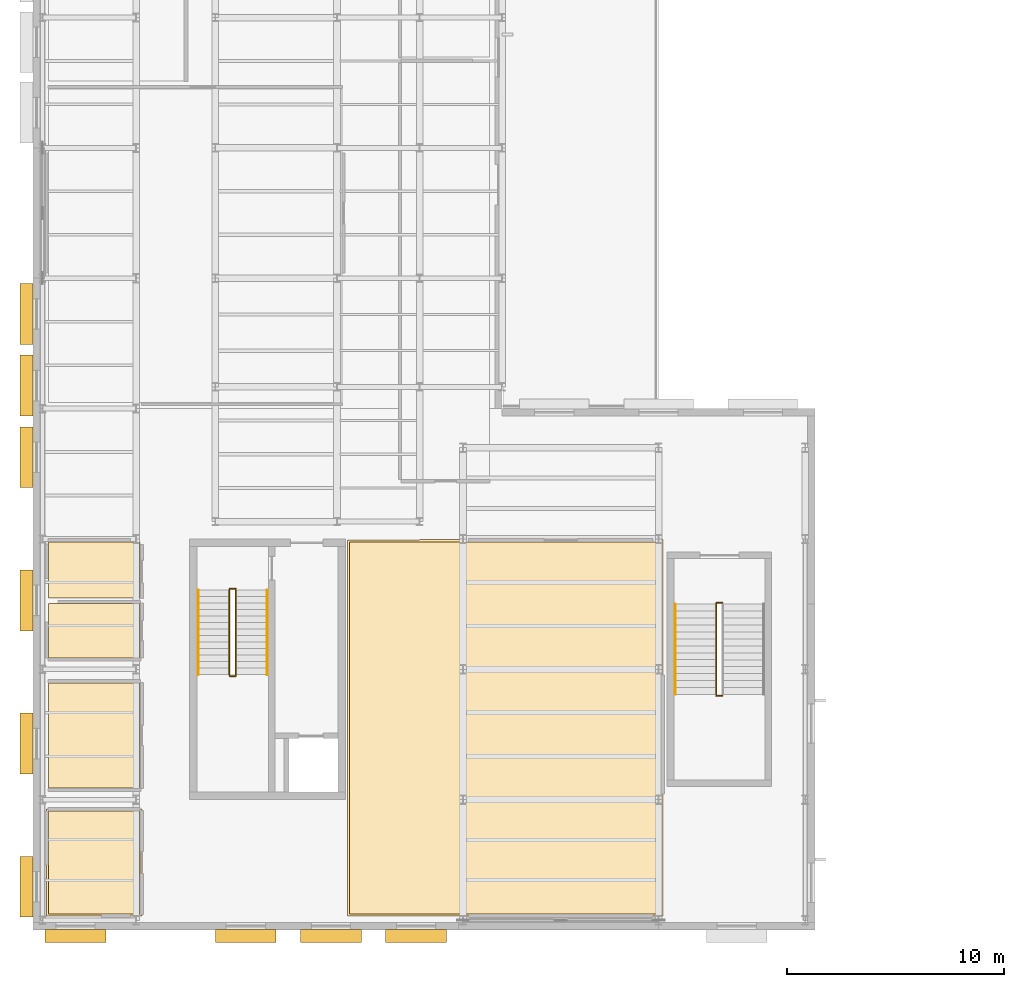
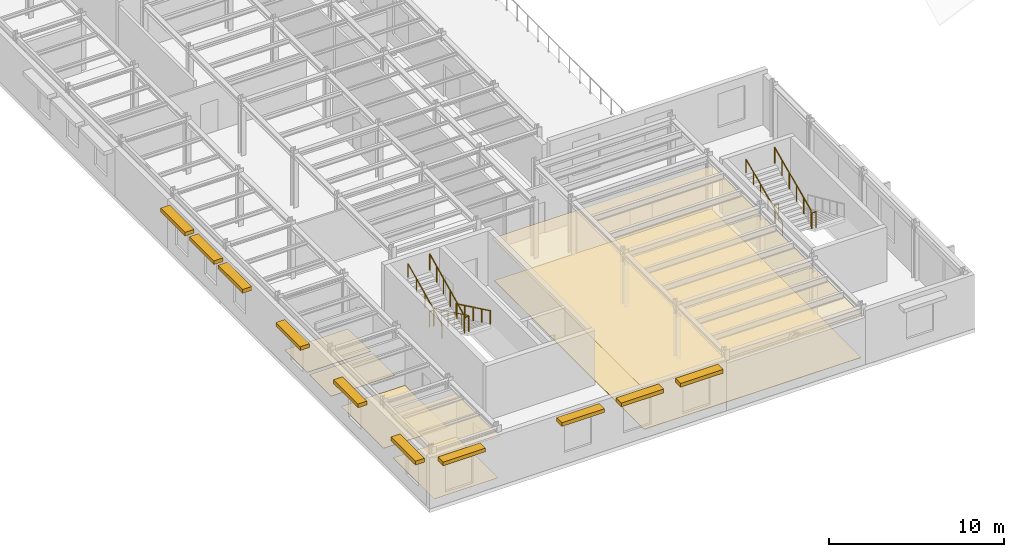
# One storey, part 8 of 13: 10 railings, 10 shading devices, 7 coverings, 2 elements without a shape of their own.
"""IFC4 building model written with IfcOpenShell, lengths in metres."""

from ifc_helpers import new_model, si_unit, direction, frame, origin, origin_2d, place, context, subcontext, project, spatial, polyline, rectangle, circle, outline, extrude, material, layer, layer_set, type_object, element, aggregate, save


model = new_model("IFC4")

# Units and contexts
model_context = context("Model", 3, precision=1e-05, world=origin(), true_north=direction((0.0, 1.0)))
body_context = subcontext(model_context, "Body", "Model", "MODEL_VIEW")
ifc_project = project(units=[si_unit("LENGTHUNIT", "METRE"), si_unit("AREAUNIT", "SQUARE_METRE"), si_unit("VOLUMEUNIT", "CUBIC_METRE"), si_unit("PLANEANGLEUNIT", "RADIAN"), si_unit("MASSUNIT", "GRAM", prefix="KILO")], contexts=[model_context])

# Site, building, storey
site_placement = place(None, origin())
site = spatial("IfcSite", under=ifc_project, at=site_placement, CompositionType="ELEMENT")
building_placement = place(site_placement, origin())
building = spatial("IfcBuilding", under=site, at=building_placement, Name="Kolvaren Corner Interchange", CompositionType="ELEMENT")
storey_placement = place(building_placement, frame((0.0, 0.0, 14.699951171875)))
storey = spatial("IfcBuildingStorey", under=building, at=storey_placement, Name="L04", CompositionType="ELEMENT", Elevation=14.699951171875)

# Coverings
ifc_material_1 = material(Name="Suspended Acoustic Mineral-Fibre Ceiling")
ifc_layer_1 = layer(ifc_material_1, 0.02197265625)
ifc_layer_set_1 = layer_set([ifc_layer_1], Name="Suspended Acoustic Mineral-Fibre Ceiling")
covering_type_1 = type_object("IfcCoveringType", Name="COV-CEIL-AC22", PredefinedType="CEILING", material=ifc_layer_set_1)
covering_1_placement = place(storey_placement, frame((0.0, 0.0, 2.927978515625)))
element("IfcCovering", 1, at=covering_1_placement, inside=storey, type_object=covering_type_1, Name="L04 Metro and BRT Cab Simulator Hall Suspended Ceiling", PredefinedType="CEILING", context=body_context, shape_type="SweptSolid", body=[
    extrude(outline(polyline([(14.47998046875, 0.64990234375), (29.015380859375, 0.63720703125), (29.0126953125, 17.965576171875), (14.484619140625, 17.962646484375), (14.47998046875, 0.64990234375)])), origin(), (0.0, 0.0, 1.0), 0.02197265625),
])
covering_2_placement = place(storey_placement, frame((0.0, 0.0, 2.927978515625)))
element("IfcCovering", 2, at=covering_2_placement, inside=storey, type_object=covering_type_1, Name="L04 Simulator Debriefing Room Suspended Ceiling", PredefinedType="CEILING", context=body_context, shape_type="SweptSolid", body=[
    extrude(outline(polyline([(0.6298828125, 0.64990234375), (5.035400390625, 0.63720703125), (5.03271484375, 5.5654296875), (0.634521484375, 5.562744140625), (0.6298828125, 0.64990234375)])), origin(), (0.0, 0.0, 1.0), 0.02197265625),
])
ifc_material_2 = material(Name="Acoustic Tufted Modular Office Carpet Tile")
ifc_layer_2 = layer(ifc_material_2, 0.011962890625)
ifc_layer_set_2 = layer_set([ifc_layer_2], Name="Acoustic Tufted Modular Office Carpet Tile")
covering_type_2 = type_object("IfcCoveringType", Name="COV-FLR-CPT12", PredefinedType="FLOORING", material=ifc_layer_set_2)
covering_3_placement = place(storey_placement, origin())
element("IfcCovering", 3, at=covering_3_placement, inside=storey, type_object=covering_type_2, Name="L04 Simulator Debriefing Room Floor Finish", PredefinedType="FLOORING", context=body_context, shape_type="SweptSolid", body=[
    extrude(outline(polyline([(0.72998046875, 0.72998046875), (4.93994140625, 0.72998046875), (4.93994140625, 5.469970703125), (0.72998046875, 5.469970703125), (0.72998046875, 0.72998046875)])), origin(), (0.0, 0.0, 1.0), 0.011962890625),
])
ifc_material_3 = material(Name="Polished Niger Delta Granite Terrazzo Flooring", Category="masonry")
ifc_layer_3 = layer(ifc_material_3, 0.030029296875)
ifc_layer_set_3 = layer_set([ifc_layer_3], Name="Polished Niger Delta Granite Terrazzo Flooring")
covering_type_3 = type_object("IfcCoveringType", Name="COV-FLR-TER30", PredefinedType="FLOORING", material=ifc_layer_set_3)
covering_4_placement = place(storey_placement, origin())
element("IfcCovering", 4, at=covering_4_placement, inside=storey, type_object=covering_type_3, Name="L04 Metro and BRT Cab Simulator Hall Floor Finish", PredefinedType="FLOORING", context=body_context, shape_type="SweptSolid", body=[
    extrude(outline(polyline([(14.580078125, 0.72998046875), (28.919921875, 0.72998046875), (28.919921875, 17.8701171875), (14.580078125, 17.8701171875), (14.580078125, 0.72998046875)])), origin(), (0.0, 0.0, 1.0), 0.030029296875),
])
covering_5_placement = place(storey_placement, origin())
element("IfcCovering", 5, at=covering_5_placement, inside=storey, type_object=covering_type_3, Name="L04 Male WC Floor Finish", PredefinedType="FLOORING", context=body_context, shape_type="SweptSolid", body=[
    extrude(outline(polyline([(0.72998046875, 6.530029296875), (4.93994140625, 6.530029296875), (4.93994140625, 11.3701171875), (0.72998046875, 11.3701171875), (0.72998046875, 6.530029296875)])), origin(), (0.0, 0.0, 1.0), 0.030029296875),
])
covering_6_placement = place(storey_placement, origin())
element("IfcCovering", 6, at=covering_6_placement, inside=storey, type_object=covering_type_3, Name="L04 Female WC Floor Finish", PredefinedType="FLOORING", context=body_context, shape_type="SweptSolid", body=[
    extrude(outline(polyline([(0.72998046875, 12.530029296875), (4.93994140625, 12.530029296875), (4.93994140625, 15.02001953125), (0.72998046875, 15.02001953125), (0.72998046875, 12.530029296875)])), origin(), (0.0, 0.0, 1.0), 0.030029296875),
])
covering_7_placement = place(storey_placement, origin())
element("IfcCovering", 7, at=covering_7_placement, inside=storey, type_object=covering_type_3, Name="L04 Accessible WC Floor Finish", PredefinedType="FLOORING", context=body_context, shape_type="SweptSolid", body=[
    extrude(outline(polyline([(0.72998046875, 15.280029296875), (4.93994140625, 15.280029296875), (4.93994140625, 17.8701171875), (0.72998046875, 17.8701171875), (0.72998046875, 15.280029296875)])), origin(), (0.0, 0.0, 1.0), 0.030029296875),
])

# Railing
ifc_material_4 = material(Name="Powder-Coated Steel Stairwell Guardrail", Category="steel")
railing_type_1 = type_object("IfcRailingType", Name="RLT-STAIR-GRD1120", PredefinedType="GUARDRAIL", material=ifc_material_4)
railing_1_placement = place(storey_placement, frame((9.340087890625, 15.7099609375, 0.0)))
element("IfcRailing", 8, at=railing_1_placement, inside=storey, type_object=railing_type_1, Name="Core C1 Southwest Firefighting Stair L04 Landing Edge Guardrail", PredefinedType="GUARDRAIL", context=body_context, shape_type="SweptSolid", body=[
    extrude(circle(Radius=0.02392578125, at=origin_2d()), frame((0.0, 0.0, 1.09619140625), z_axis=(-1.0, 0.0, 0.0), x_axis=(0.0, -1.0, 0.0)), (0.0, 0.0, 1.0), 0.280029296875),
    extrude(circle(Radius=0.02001953125, at=origin_2d()), origin(), (0.0, 0.0, 1.0), 1.072021484375),
    extrude(circle(Radius=0.02001953125, at=origin_2d()), frame((-0.280029296875, 0.0, 0.0)), (0.0, 0.0, 1.0), 1.072021484375),
])

# Stair, railings
ifc_material_5 = material(Name="Concrete C35/45", Category="concrete")
stair_type_1 = type_object("IfcStairType", Name="ST-FF-1550", PredefinedType="HALF_TURN_STAIR", material=ifc_material_5)
stair_1_placement = place(storey_placement, origin())
stair_1 = element("IfcStair", 9, at=stair_1_placement, inside=storey, type_object=stair_type_1, Name="Core C1 Southwest Firefighting Stair L04 to L05 Stair", PredefinedType="HALF_TURN_STAIR")
railing_2_placement = place(storey_placement, frame((9.35009765625, 15.64990234375, 0.14453125)))
railing_2 = element("IfcRailing", 10, at=railing_2_placement, type_object=railing_type_1, Name="Core C1 Southwest Firefighting Stair L04 Lower Flight Well Guardrail", PredefinedType="GUARDRAIL", context=body_context, shape_type="SweptSolid", body=[
    extrude(circle(Radius=0.02392578125, at=origin_2d()), frame((0.0, 0.0, 1.09619140625), z_axis=(0.0, -0.900741105627, 0.43435637515), x_axis=(1.0, 0.0, 0.0)), (0.0, 0.0, 1.0), 4.32958984375),
    extrude(circle(Radius=0.02001953125, at=origin_2d()), origin(), (0.0, 0.0, 1.0), 1.072021484375),
    extrude(circle(Radius=0.02001953125, at=origin_2d()), frame((0.0, -0.780029296875, 0.376220703125)), (0.0, 0.0, 1.0), 1.072021484375),
    extrude(circle(Radius=0.02001953125, at=origin_2d()), frame((0.0, -1.56005859375, 0.752197265625)), (0.0, 0.0, 1.0), 1.072021484375),
    extrude(circle(Radius=0.02001953125, at=origin_2d()), frame((0.0, -2.33984375, 1.12841796875)), (0.0, 0.0, 1.0), 1.072021484375),
    extrude(circle(Radius=0.02001953125, at=origin_2d()), frame((0.0, -3.119873046875, 1.50439453125)), (0.0, 0.0, 1.0), 1.072021484375),
    extrude(circle(Radius=0.02001953125, at=origin_2d()), frame((0.0, -3.89990234375, 1.880615234375)), (0.0, 0.0, 1.0), 1.072021484375),
])
railing_3_placement = place(storey_placement, frame((9.340087890625, 11.68994140625, 2.025146484375)))
railing_3 = element("IfcRailing", 11, at=railing_3_placement, type_object=railing_type_1, Name="Core C1 Southwest Firefighting Stair L04 Half Landing Well Guardrail", PredefinedType="GUARDRAIL", context=body_context, shape_type="SweptSolid", body=[
    extrude(circle(Radius=0.02392578125, at=origin_2d()), frame((0.0, 0.0, 1.09619140625), z_axis=(-1.0, 0.0, 0.0), x_axis=(0.0, -1.0, 0.0)), (0.0, 0.0, 1.0), 0.280029296875),
    extrude(circle(Radius=0.02001953125, at=origin_2d()), origin(), (0.0, 0.0, 1.0), 1.072021484375),
    extrude(circle(Radius=0.02001953125, at=origin_2d()), frame((-0.280029296875, 0.0, 0.0)), (0.0, 0.0, 1.0), 1.072021484375),
])
railing_4_placement = place(storey_placement, frame((9.050048828125, 11.75, 2.169677734375)))
railing_4 = element("IfcRailing", 12, at=railing_4_placement, type_object=railing_type_1, Name="Core C1 Southwest Firefighting Stair L04 Upper Flight Well Guardrail", PredefinedType="GUARDRAIL", context=body_context, shape_type="SweptSolid", body=[
    extrude(circle(Radius=0.02392578125, at=origin_2d()), frame((0.0, 0.0, 1.09619140625), z_axis=(0.0, 0.900763166376, 0.434310623978), x_axis=(-1.0, 0.0, 0.0)), (0.0, 0.0, 1.0), 4.32958984375),
    extrude(circle(Radius=0.02001953125, at=origin_2d()), origin(), (0.0, 0.0, 1.0), 1.072021484375),
    extrude(circle(Radius=0.02001953125, at=origin_2d()), frame((0.0, 0.780029296875, 0.3759765625)), (0.0, 0.0, 1.0), 1.072021484375),
    extrude(circle(Radius=0.02001953125, at=origin_2d()), frame((0.0, 1.56005859375, 0.752197265625)), (0.0, 0.0, 1.0), 1.072021484375),
    extrude(circle(Radius=0.02001953125, at=origin_2d()), frame((0.0, 2.33984375, 1.128173828125)), (0.0, 0.0, 1.0), 1.072021484375),
    extrude(circle(Radius=0.02001953125, at=origin_2d()), frame((0.0, 3.119873046875, 1.50439453125)), (0.0, 0.0, 1.0), 1.072021484375),
    extrude(circle(Radius=0.02001953125, at=origin_2d()), frame((0.0, 3.89990234375, 1.88037109375)), (0.0, 0.0, 1.0), 1.072021484375),
])

# Railing
railing_5_placement = place(storey_placement, frame((31.739990234375, 15.06005859375, 0.0)))
element("IfcRailing", 13, at=railing_5_placement, inside=storey, type_object=railing_type_1, Name="Operations South Bar Protected Exit Stair L04 Landing Edge Guardrail", PredefinedType="GUARDRAIL", context=body_context, shape_type="SweptSolid", body=[
    extrude(circle(Radius=0.02392578125, at=origin_2d()), frame((0.0, 0.0, 1.09619140625), z_axis=(-1.0, 0.0, 0.0), x_axis=(0.0, -1.0, 0.0)), (0.0, 0.0, 1.0), 0.280029296875),
    extrude(circle(Radius=0.02001953125, at=origin_2d()), origin(), (0.0, 0.0, 1.0), 1.072021484375),
    extrude(circle(Radius=0.02001953125, at=origin_2d()), frame((-0.280029296875, 0.0, 0.0)), (0.0, 0.0, 1.0), 1.072021484375),
])

# Stair, railings
ifc_material_6 = material(Name="Concrete C35/45", Category="concrete")
stair_type_2 = type_object("IfcStairType", Name="ST-GL-2000", PredefinedType="HALF_TURN_STAIR", material=ifc_material_6)
stair_2_placement = place(storey_placement, origin())
stair_2 = element("IfcStair", 14, at=stair_2_placement, inside=storey, type_object=stair_type_2, Name="Operations South Bar Protected Exit Stair L04 to L05 Stair", PredefinedType="HALF_TURN_STAIR")
railing_6_placement = place(storey_placement, frame((31.739990234375, 10.780029296875, 2.025146484375)))
railing_6 = element("IfcRailing", 15, at=railing_6_placement, type_object=railing_type_1, Name="Operations South Bar Protected Exit Stair L04 Half Landing Well Guardrail", PredefinedType="GUARDRAIL", context=body_context, shape_type="SweptSolid", body=[
    extrude(circle(Radius=0.02392578125, at=origin_2d()), frame((0.0, 0.0, 1.09619140625), z_axis=(-1.0, 0.0, 0.0), x_axis=(0.0, -1.0, 0.0)), (0.0, 0.0, 1.0), 0.280029296875),
    extrude(circle(Radius=0.02001953125, at=origin_2d()), origin(), (0.0, 0.0, 1.0), 1.072021484375),
    extrude(circle(Radius=0.02001953125, at=origin_2d()), frame((-0.280029296875, 0.0, 0.0)), (0.0, 0.0, 1.0), 1.072021484375),
])
railing_7_placement = place(storey_placement, frame((31.449951171875, 10.840087890625, 2.169677734375)))
railing_7 = element("IfcRailing", 16, at=railing_7_placement, type_object=railing_type_1, Name="Operations South Bar Protected Exit Stair L04 Upper Flight Well Guardrail", PredefinedType="GUARDRAIL", context=body_context, shape_type="SweptSolid", body=[
    extrude(circle(Radius=0.02392578125, at=origin_2d()), frame((0.0, 0.0, 1.09619140625), z_axis=(0.0, 0.911230771074, 0.411896202759), x_axis=(-1.0, 0.0, 0.0)), (0.0, 0.0, 1.0), 4.565185546875),
    extrude(circle(Radius=0.02001953125, at=origin_2d()), origin(), (0.0, 0.0, 1.0), 1.072021484375),
    extrude(circle(Radius=0.02001953125, at=origin_2d()), frame((0.0, 0.83203125, 0.3759765625)), (0.0, 0.0, 1.0), 1.072021484375),
    extrude(circle(Radius=0.02001953125, at=origin_2d()), frame((0.0, 1.6640625, 0.752197265625)), (0.0, 0.0, 1.0), 1.072021484375),
    extrude(circle(Radius=0.02001953125, at=origin_2d()), frame((0.0, 2.495849609375, 1.128173828125)), (0.0, 0.0, 1.0), 1.072021484375),
    extrude(circle(Radius=0.02001953125, at=origin_2d()), frame((0.0, 3.327880859375, 1.50439453125)), (0.0, 0.0, 1.0), 1.072021484375),
    extrude(circle(Radius=0.02001953125, at=origin_2d()), frame((0.0, 4.159912109375, 1.88037109375)), (0.0, 0.0, 1.0), 1.072021484375),
])

# Railing
ifc_material_7 = material(Name="Brushed Stainless Steel Stair Handrail", Category="steel")
railing_type_2 = type_object("IfcRailingType", Name="RLT-STAIR-HR950", PredefinedType="HANDRAIL", material=ifc_material_7)
railing_8_placement = place(storey_placement, frame((10.7900390625, 15.64990234375, 0.14453125)))
railing_8 = element("IfcRailing", 17, at=railing_8_placement, type_object=railing_type_2, Name="Core C1 Southwest Firefighting Stair L04 Lower Flight Wall Handrail", PredefinedType="HANDRAIL", context=body_context, shape_type="SweptSolid", body=[
    extrude(circle(Radius=0.02197265625, at=origin_2d()), frame((0.0, 0.0, 0.927978515625), z_axis=(0.0, -0.900741105627, 0.43435637515), x_axis=(1.0, 0.0, 0.0)), (0.0, 0.0, 1.0), 4.32958984375),
    extrude(circle(Radius=0.01806640625, at=origin_2d()), origin(), (0.0, 0.0, 1.0), 0.906005859375),
    extrude(circle(Radius=0.01806640625, at=origin_2d()), frame((0.0, -0.97509765625, 0.47021484375)), (0.0, 0.0, 1.0), 0.906005859375),
    extrude(circle(Radius=0.01806640625, at=origin_2d()), frame((0.0, -1.949951171875, 0.9404296875)), (0.0, 0.0, 1.0), 0.906005859375),
    extrude(circle(Radius=0.01806640625, at=origin_2d()), frame((0.0, -2.9248046875, 1.410400390625)), (0.0, 0.0, 1.0), 0.906005859375),
    extrude(circle(Radius=0.01806640625, at=origin_2d()), frame((0.0, -3.89990234375, 1.880615234375)), (0.0, 0.0, 1.0), 0.906005859375),
])

railing_9_placement = place(storey_placement, frame((7.610107421875, 11.75, 2.169677734375)))
railing_9 = element("IfcRailing", 18, at=railing_9_placement, type_object=railing_type_2, Name="Core C1 Southwest Firefighting Stair L04 Upper Flight Wall Handrail", PredefinedType="HANDRAIL", context=body_context, shape_type="SweptSolid", body=[
    extrude(circle(Radius=0.02197265625, at=origin_2d()), frame((0.0, 0.0, 0.927978515625), z_axis=(0.0, 0.900763166376, 0.434310623978), x_axis=(-1.0, 0.0, 0.0)), (0.0, 0.0, 1.0), 4.32958984375),
    extrude(circle(Radius=0.01806640625, at=origin_2d()), origin(), (0.0, 0.0, 1.0), 0.906005859375),
    extrude(circle(Radius=0.01806640625, at=origin_2d()), frame((0.0, 0.97509765625, 0.47021484375)), (0.0, 0.0, 1.0), 0.906005859375),
    extrude(circle(Radius=0.01806640625, at=origin_2d()), frame((0.0, 1.949951171875, 0.940185546875)), (0.0, 0.0, 1.0), 0.906005859375),
    extrude(circle(Radius=0.01806640625, at=origin_2d()), frame((0.0, 2.9248046875, 1.41015625)), (0.0, 0.0, 1.0), 0.906005859375),
    extrude(circle(Radius=0.01806640625, at=origin_2d()), frame((0.0, 3.89990234375, 1.88037109375)), (0.0, 0.0, 1.0), 0.906005859375),
])

aggregate(stair_1, [railing_2, railing_3, railing_4, railing_8, railing_9])

railing_10_placement = place(storey_placement, frame((29.56005859375, 10.840087890625, 2.169677734375)))
railing_10 = element("IfcRailing", 19, at=railing_10_placement, type_object=railing_type_2, Name="Operations South Bar Protected Exit Stair L04 Upper Flight Wall Handrail", PredefinedType="HANDRAIL", context=body_context, shape_type="SweptSolid", body=[
    extrude(circle(Radius=0.02197265625, at=origin_2d()), frame((0.0, 0.0, 0.927978515625), z_axis=(0.0, 0.911230771074, 0.411896202759), x_axis=(-1.0, 0.0, 0.0)), (0.0, 0.0, 1.0), 4.565185546875),
    extrude(circle(Radius=0.01806640625, at=origin_2d()), origin(), (0.0, 0.0, 1.0), 0.906005859375),
    extrude(circle(Radius=0.01806640625, at=origin_2d()), frame((0.0, 0.83203125, 0.3759765625)), (0.0, 0.0, 1.0), 0.906005859375),
    extrude(circle(Radius=0.01806640625, at=origin_2d()), frame((0.0, 1.6640625, 0.752197265625)), (0.0, 0.0, 1.0), 0.906005859375),
    extrude(circle(Radius=0.01806640625, at=origin_2d()), frame((0.0, 2.495849609375, 1.128173828125)), (0.0, 0.0, 1.0), 0.906005859375),
    extrude(circle(Radius=0.01806640625, at=origin_2d()), frame((0.0, 3.327880859375, 1.50439453125)), (0.0, 0.0, 1.0), 0.906005859375),
    extrude(circle(Radius=0.01806640625, at=origin_2d()), frame((0.0, 4.159912109375, 1.88037109375)), (0.0, 0.0, 1.0), 0.906005859375),
])

aggregate(stair_2, [railing_6, railing_7, railing_10])

# Shading devices
ifc_material_8 = material(Name="Cream Ceramic Baguette Brise-Soleil")
shading_device_type = type_object("IfcShadingDeviceType", Name="SHD-BAG-H600", PredefinedType="JALOUSIE", material=ifc_material_8)
for number, where, z_axis, x_axis, name in (
    (20, (1.9599609375, -0.280029296875, 3.18017578125), (0.0, 0.0, 1.0), (1.0, 0.0, 0.0), "L04 Ceramic Solar Shading 0086"),
    (21, (9.800048828125, -0.280029296875, 3.18017578125), (0.0, 0.0, 1.0), (1.0, 0.0, 0.0), "L04 Ceramic Solar Shading 0087"),
    (22, (13.719970703125, -0.280029296875, 3.18017578125), (0.0, 0.0, 1.0), (1.0, 0.0, 0.0), "L04 Ceramic Solar Shading 0088"),
    (23, (17.639892578125, -0.280029296875, 3.18017578125), (0.0, 0.0, 1.0), (1.0, 0.0, 0.0), "L04 Ceramic Solar Shading 0089"),
    (24, (-0.2900390625, 28.3525390625, 2.93017578125), (0.0, 0.0, 1.0), (0.0, -1.0, 0.0), "L04 Ceramic Solar Shading 0112"),
    (25, (-0.2900390625, 25.0576171875, 2.93017578125), (0.0, 0.0, 1.0), (0.0, -1.0, 0.0), "L04 Ceramic Solar Shading 0113"),
    (26, (-0.2900390625, 21.762451171875, 2.93017578125), (0.0, 0.0, 1.0), (0.0, -1.0, 0.0), "L04 Ceramic Solar Shading 0114"),
    (27, (-0.2900390625, 15.172607421875, 2.93017578125), (0.0, 0.0, 1.0), (0.0, -1.0, 0.0), "L04 Ceramic Solar Shading 0115"),
    (28, (-0.2900390625, 8.58251953125, 2.93017578125), (0.0, 0.0, 1.0), (0.0, -1.0, 0.0), "L04 Ceramic Solar Shading 0116"),
    (29, (-0.2900390625, 1.992431640625, 2.93017578125), (0.0, 0.0, 1.0), (0.0, -1.0, 0.0), "L04 Ceramic Solar Shading 0117"),
):
    element("IfcShadingDevice", number, at=place(storey_placement, frame(where, z_axis=z_axis, x_axis=x_axis)), inside=storey, type_object=shading_device_type, Name=name, PredefinedType="JALOUSIE", context=body_context, shape_type="SweptSolid", body=[
        extrude(rectangle(XDim=2.800048828125, YDim=0.60009765625, at=origin_2d()), origin(), (0.0, 0.0, 1.0), 0.260009765625),
    ])

save(model, "model.ifc")
